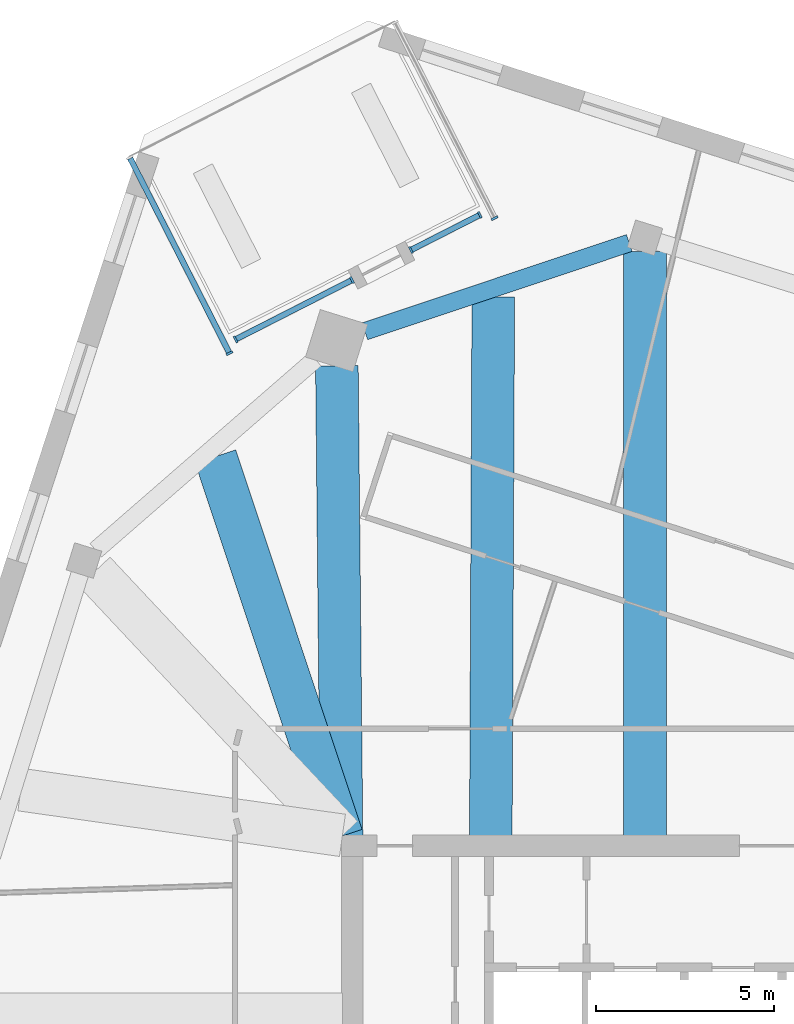
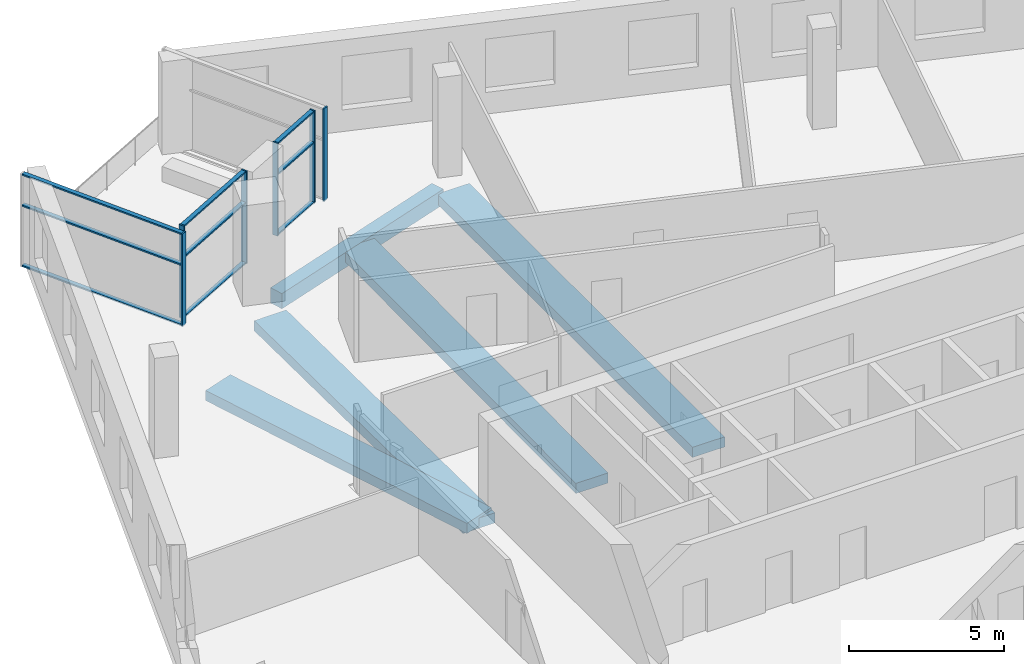
# One storey, part 2 of 13: 15 members, 5 beams, 4 elements without a shape of their own.
"""IFC4 building model written with IfcOpenShell, lengths in metres."""

from ifc_helpers import new_model, si_unit, direction, frame, origin, origin_2d, place, context, subcontext, project, spatial, rectangle, extrude, material, material_profile, profile_set, type_object, element, aggregate, save


model = new_model("IFC4")

# Units and contexts
model_context = context("Model", 3, precision=1e-05, world=origin(), true_north=direction((0.0, 1.0)))
body_context = subcontext(model_context, "Body", "Model", "MODEL_VIEW")
ifc_project = project(units=[si_unit("LENGTHUNIT", "METRE"), si_unit("AREAUNIT", "SQUARE_METRE"), si_unit("VOLUMEUNIT", "CUBIC_METRE"), si_unit("PLANEANGLEUNIT", "RADIAN"), si_unit("MASSUNIT", "GRAM", prefix="KILO")], contexts=[model_context])

# Site, building, storey
site_placement = place(None, origin())
site = spatial("IfcSite", under=ifc_project, at=site_placement, CompositionType="ELEMENT")
building_placement = place(site_placement, origin())
building = spatial("IfcBuilding", under=site, at=building_placement, Name="Dilmun Exchange Tower", CompositionType="ELEMENT")
storey_placement = place(building_placement, frame((0.0, 0.0, 320.5)))
storey = spatial("IfcBuildingStorey", under=building, at=storey_placement, Name="L76", CompositionType="ELEMENT", Elevation=320.5)

# Curtain wall, member
ifc_material_1 = material(Name="Anodised aluminium and clear glass", Category="aluminium")
curtain_wall_type = type_object("IfcCurtainWallType", Name="Garden corner glazing", PredefinedType="NOTDEFINED", material=ifc_material_1)
curtain_wall_1_placement = place(storey_placement, origin())
curtain_wall_1 = element("IfcCurtainWall", 1, at=curtain_wall_1_placement, inside=storey, type_object=curtain_wall_type, Name="Garden corner glazing run GC1.1", PredefinedType="NOTDEFINED")
ifc_material_2 = material(Name="Anodised aluminium", Category="aluminium")
ifc_material_profile_1 = material_profile(ifc_material_2, rectangle(XDim=0.199951171875, YDim=0.06005859375, at=origin_2d()), Name="AL 60x200")
ifc_profile_set_1 = profile_set([ifc_material_profile_1], Name="Anodised aluminium")
member_type_1 = type_object("IfcMemberType", Name="Garden corner glazing mullion 60 x 200", PredefinedType="MULLION", material=ifc_profile_set_1)
member_1_placement = place(storey_placement, frame((-8.087646484375, 29.77294921875, 0.0), z_axis=(0.0, 0.0, 1.0), x_axis=(0.891010784827, 0.453982137668, 0.0)))
member_1 = element("IfcMember", 2, at=member_1_placement, type_object=member_type_1, Name="GC1.1 mullion 2", PredefinedType="MULLION", context=body_context, shape_type="SweptSolid", body=[
    extrude(rectangle(XDim=0.199951171875, YDim=0.06005859375, at=origin_2d()), origin(), (0.0, 0.0, 1.0), 3.64990234375),
])
aggregate(curtain_wall_1, [member_1])

# Curtain wall, members
curtain_wall_2_placement = place(storey_placement, origin())
curtain_wall_2 = element("IfcCurtainWall", 3, at=curtain_wall_2_placement, inside=storey, type_object=curtain_wall_type, Name="Garden corner glazing run GC2.1", PredefinedType="NOTDEFINED")
member_2_placement = place(storey_placement, frame((-8.50439453125, 29.863525390625, 0.0), z_axis=(0.0, 0.0, 1.0), x_axis=(0.453989339681, -0.891007115267, 0.0)))
member_2 = element("IfcMember", 4, at=member_2_placement, type_object=member_type_1, Name="GC2.1 mullion 1", PredefinedType="MULLION", context=body_context, shape_type="SweptSolid", body=[
    extrude(rectangle(XDim=0.199951171875, YDim=0.06005859375, at=origin_2d()), origin(), (0.0, 0.0, 1.0), 3.64990234375),
])
member_3_placement = place(storey_placement, frame((-10.44580078125, 28.874267578125, 0.0), z_axis=(0.0, 0.0, 1.0), x_axis=(0.453989339681, -0.891007115267, 0.0)))
member_3 = element("IfcMember", 5, at=member_3_placement, type_object=member_type_1, Name="GC2.1 mullion 2", PredefinedType="MULLION", context=body_context, shape_type="SweptSolid", body=[
    extrude(rectangle(XDim=0.199951171875, YDim=0.06005859375, at=origin_2d()), origin(), (0.0, 0.0, 1.0), 3.64990234375),
])

curtain_wall_3_placement = place(storey_placement, origin())
curtain_wall_3 = element("IfcCurtainWall", 6, at=curtain_wall_3_placement, inside=storey, type_object=curtain_wall_type, Name="Garden corner glazing run GC2.3", PredefinedType="NOTDEFINED")
member_4_placement = place(storey_placement, frame((-12.10302734375, 28.02978515625, 0.0), z_axis=(0.0, 0.0, 1.0), x_axis=(0.453983071152, -0.891010309204, 0.0)))
member_4 = element("IfcMember", 7, at=member_4_placement, type_object=member_type_1, Name="GC2.3 mullion 1", PredefinedType="MULLION", context=body_context, shape_type="SweptSolid", body=[
    extrude(rectangle(XDim=0.199951171875, YDim=0.06005859375, at=origin_2d()), origin(), (0.0, 0.0, 1.0), 3.64990234375),
])
member_5_placement = place(storey_placement, frame((-15.38134765625, 26.359619140625, 0.0), z_axis=(0.0, 0.0, 1.0), x_axis=(0.453983071152, -0.891010309204, 0.0)))
member_5 = element("IfcMember", 8, at=member_5_placement, type_object=member_type_1, Name="GC2.3 mullion 2", PredefinedType="MULLION", context=body_context, shape_type="SweptSolid", body=[
    extrude(rectangle(XDim=0.199951171875, YDim=0.06005859375, at=origin_2d()), origin(), (0.0, 0.0, 1.0), 3.64990234375),
])

# Curtain wall, member
curtain_wall_4_placement = place(storey_placement, origin())
curtain_wall_4 = element("IfcCurtainWall", 9, at=curtain_wall_4_placement, inside=storey, type_object=curtain_wall_type, Name="Garden corner glazing run GC3.1", PredefinedType="NOTDEFINED")
member_6_placement = place(storey_placement, frame((-15.552734375, 25.96923828125, 0.0), z_axis=(0.0, 0.0, 1.0), x_axis=(-0.891007485315, -0.453988613418, 0.0)))
member_6 = element("IfcMember", 10, at=member_6_placement, type_object=member_type_1, Name="GC3.1 mullion 1", PredefinedType="MULLION", context=body_context, shape_type="SweptSolid", body=[
    extrude(rectangle(XDim=0.199951171875, YDim=0.06005859375, at=origin_2d()), origin(), (0.0, 0.0, 1.0), 3.64990234375),
])

# Member
ifc_material_profile_2 = material_profile(ifc_material_2, rectangle(XDim=0.159912109375, YDim=0.06005859375, at=origin_2d()), Name="AL 60x160")
ifc_profile_set_2 = profile_set([ifc_material_profile_2], Name="Anodised aluminium")
member_type_2 = type_object("IfcMemberType", Name="Garden corner glazing transom 60 x 160", PredefinedType="USERDEFINED", material=ifc_profile_set_2)
member_7_placement = place(storey_placement, frame((-8.531005859375, 29.849853515625, 0.030029296875), z_axis=(-0.891037738411, -0.453929233171, 0.0), x_axis=(0.453929233171, -0.891037738411, 0.0)))
member_7 = element("IfcMember", 11, at=member_7_placement, type_object=member_type_2, Name="GC2.1 transom 1.1", ObjectType="TRANSOM", PredefinedType="USERDEFINED", context=body_context, shape_type="SweptSolid", body=[
    extrude(rectangle(XDim=0.159912109375, YDim=0.06005859375, at=origin_2d()), origin(), (0.0, 0.0, 1.0), 2.119140625),
])

member_8_placement = place(storey_placement, frame((-8.531005859375, 29.849853515625, 2.39990234375), z_axis=(-0.891037738411, -0.453929233171, 0.0), x_axis=(0.453929233171, -0.891037738411, 0.0)))
member_8 = element("IfcMember", 12, at=member_8_placement, type_object=member_type_2, Name="GC2.1 transom 1.2", ObjectType="TRANSOM", PredefinedType="USERDEFINED", context=body_context, shape_type="SweptSolid", body=[
    extrude(rectangle(XDim=0.159912109375, YDim=0.06005859375, at=origin_2d()), origin(), (0.0, 0.0, 1.0), 2.119140625),
])

member_9_placement = place(storey_placement, frame((-8.531005859375, 29.849853515625, 3.6201171875), z_axis=(-0.891037738411, -0.453929233171, 0.0), x_axis=(0.453929233171, -0.891037738411, 0.0)))
member_9 = element("IfcMember", 13, at=member_9_placement, type_object=member_type_2, Name="GC2.1 transom 1.3", ObjectType="TRANSOM", PredefinedType="USERDEFINED", context=body_context, shape_type="SweptSolid", body=[
    extrude(rectangle(XDim=0.159912109375, YDim=0.06005859375, at=origin_2d()), origin(), (0.0, 0.0, 1.0), 2.119140625),
])

aggregate(curtain_wall_2, [member_2, member_3, member_7, member_8, member_9])

member_10_placement = place(storey_placement, frame((-12.1298828125, 28.016357421875, 0.030029296875), z_axis=(-0.891001397756, -0.454000560789, 0.0), x_axis=(0.454000560789, -0.891001397756, 0.0)))
member_10 = element("IfcMember", 14, at=member_10_placement, type_object=member_type_2, Name="GC2.3 transom 1.1", ObjectType="TRANSOM", PredefinedType="USERDEFINED", context=body_context, shape_type="SweptSolid", body=[
    extrude(rectangle(XDim=0.159912109375, YDim=0.06005859375, at=origin_2d()), origin(), (0.0, 0.0, 1.0), 3.619140625),
])

member_11_placement = place(storey_placement, frame((-12.1298828125, 28.016357421875, 2.39990234375), z_axis=(-0.891001397756, -0.454000560789, 0.0), x_axis=(0.454000560789, -0.891001397756, 0.0)))
member_11 = element("IfcMember", 15, at=member_11_placement, type_object=member_type_2, Name="GC2.3 transom 1.2", ObjectType="TRANSOM", PredefinedType="USERDEFINED", context=body_context, shape_type="SweptSolid", body=[
    extrude(rectangle(XDim=0.159912109375, YDim=0.06005859375, at=origin_2d()), origin(), (0.0, 0.0, 1.0), 3.619140625),
])

member_12_placement = place(storey_placement, frame((-12.1298828125, 28.016357421875, 3.6201171875), z_axis=(-0.891001397756, -0.454000560789, 0.0), x_axis=(0.454000560789, -0.891001397756, 0.0)))
member_12 = element("IfcMember", 16, at=member_12_placement, type_object=member_type_2, Name="GC2.3 transom 1.3", ObjectType="TRANSOM", PredefinedType="USERDEFINED", context=body_context, shape_type="SweptSolid", body=[
    extrude(rectangle(XDim=0.159912109375, YDim=0.06005859375, at=origin_2d()), origin(), (0.0, 0.0, 1.0), 3.619140625),
])

aggregate(curtain_wall_3, [member_4, member_5, member_10, member_11, member_12])

member_13_placement = place(storey_placement, frame((-15.56640625, 25.995849609375, 0.030029296875), z_axis=(-0.453975328977, 0.891014253915, 0.0), x_axis=(-0.891014253915, -0.453975328977, 0.0)))
member_13 = element("IfcMember", 17, at=member_13_placement, type_object=member_type_2, Name="GC3.1 transom 1.1", ObjectType="TRANSOM", PredefinedType="USERDEFINED", context=body_context, shape_type="SweptSolid", body=[
    extrude(rectangle(XDim=0.159912109375, YDim=0.06005859375, at=origin_2d()), origin(), (0.0, 0.0, 1.0), 6.12646484375),
])

member_14_placement = place(storey_placement, frame((-15.56640625, 25.995849609375, 2.39990234375), z_axis=(-0.453975328977, 0.891014253915, 0.0), x_axis=(-0.891014253915, -0.453975328977, 0.0)))
member_14 = element("IfcMember", 18, at=member_14_placement, type_object=member_type_2, Name="GC3.1 transom 1.2", ObjectType="TRANSOM", PredefinedType="USERDEFINED", context=body_context, shape_type="SweptSolid", body=[
    extrude(rectangle(XDim=0.159912109375, YDim=0.06005859375, at=origin_2d()), origin(), (0.0, 0.0, 1.0), 6.12646484375),
])

member_15_placement = place(storey_placement, frame((-15.56640625, 25.995849609375, 3.6201171875), z_axis=(-0.453975328977, 0.891014253915, 0.0), x_axis=(-0.891014253915, -0.453975328977, 0.0)))
member_15 = element("IfcMember", 19, at=member_15_placement, type_object=member_type_2, Name="GC3.1 transom 1.3", ObjectType="TRANSOM", PredefinedType="USERDEFINED", context=body_context, shape_type="SweptSolid", body=[
    extrude(rectangle(XDim=0.159912109375, YDim=0.06005859375, at=origin_2d()), origin(), (0.0, 0.0, 1.0), 6.12646484375),
])

aggregate(curtain_wall_4, [member_6, member_13, member_14, member_15])

# Beams
ifc_material_3 = material(Name="Concrete C40/50", Category="concrete")
ifc_material_profile_3 = material_profile(ifc_material_3, rectangle(XDim=1.199951171875, YDim=0.39990234375, at=origin_2d()), Name="1200 x 400")
ifc_profile_set_3 = profile_set([ifc_material_profile_3], Name="Concrete C40/50")
beam_type_1 = type_object("IfcBeamType", Name="RC band beam 1200 x 400 C40/50", PredefinedType="BEAM", material=ifc_profile_set_3)
beam_1_placement = place(storey_placement, frame((-12.530029296875, 25.613525390625, -0.64990234375), z_axis=(0.009845926203, -0.999951527694, 0.0), x_axis=(0.999951527694, 0.009845926203, 0.0)))
element("IfcBeam", 20, at=beam_1_placement, inside=storey, type_object=beam_type_1, Name="Band beam 1", PredefinedType="BEAM", context=body_context, shape_type="SweptSolid", body=[
    extrude(rectangle(XDim=1.199951171875, YDim=0.39990234375, at=origin_2d()), origin(), (0.0, 0.0, 1.0), 13.2412109375),
])
beam_2_placement = place(storey_placement, frame((-3.85595703125, 28.827880859375, -0.64990234375), z_axis=(0.0, -1.0, 0.0), x_axis=(1.0, 0.0, 0.0)))
element("IfcBeam", 21, at=beam_2_placement, inside=storey, type_object=beam_type_1, Name="Band beam 16", PredefinedType="BEAM", context=body_context, shape_type="SweptSolid", body=[
    extrude(rectangle(XDim=1.199951171875, YDim=0.39990234375, at=origin_2d()), origin(), (0.0, 0.0, 1.0), 16.454833984375),
])
beam_3_placement = place(storey_placement, frame((-15.947021484375, 23.059326171875, -0.550048828125), z_axis=(0.315752926282, -0.948841445946, 0.0), x_axis=(0.948841445946, 0.315752926282, 0.0)))
element("IfcBeam", 22, at=beam_3_placement, inside=storey, type_object=beam_type_1, Name="Band beam 17", PredefinedType="BEAM", context=body_context, shape_type="SweptSolid", body=[
    extrude(rectangle(XDim=1.199951171875, YDim=0.39990234375, at=origin_2d()), origin(), (0.0, 0.0, 1.0), 11.260986328125),
])
beam_4_placement = place(storey_placement, frame((-8.1259765625, 27.5595703125, -0.550048828125), z_axis=(-0.00464595333, -0.999989207501, 0.0), x_axis=(0.999989207501, -0.00464595333, 0.0)))
element("IfcBeam", 23, at=beam_4_placement, inside=storey, type_object=beam_type_1, Name="Band beam 32", PredefinedType="BEAM", context=body_context, shape_type="SweptSolid", body=[
    extrude(rectangle(XDim=1.199951171875, YDim=0.39990234375, at=origin_2d()), origin(), (0.0, 0.0, 1.0), 15.186767578125),
])
ifc_material_profile_4 = material_profile(ifc_material_3, rectangle(XDim=0.5, YDim=0.60009765625, at=origin_2d()), Name="500 x 600")
ifc_profile_set_4 = profile_set([ifc_material_profile_4], Name="Concrete C40/50")
beam_type_2 = type_object("IfcBeamType", Name="RC ring beam 500 x 600 C40/50", PredefinedType="SPANDREL", material=ifc_profile_set_4)
beam_5_placement = place(storey_placement, frame((-4.298095703125, 29.072509765625, -0.64990234375), z_axis=(-0.94854014246, -0.316656909198, 0.0), x_axis=(0.316656909198, -0.94854014246, 0.0)))
element("IfcBeam", 24, at=beam_5_placement, inside=storey, type_object=beam_type_2, Name="Ring beam 16", PredefinedType="SPANDREL", context=body_context, shape_type="SweptSolid", body=[
    extrude(rectangle(XDim=0.5, YDim=0.60009765625, at=origin_2d()), origin(), (0.0, 0.0, 1.0), 7.850341796875),
])

save(model, "model.ifc")
